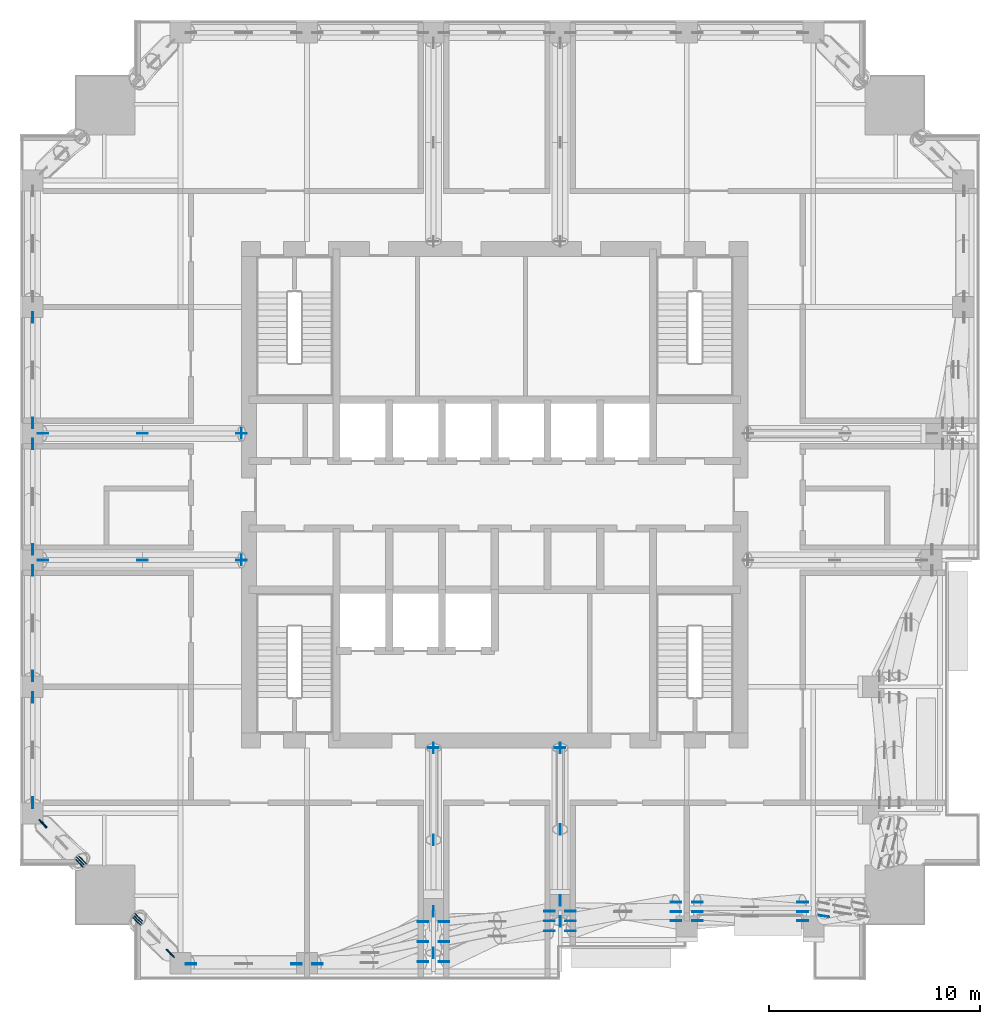
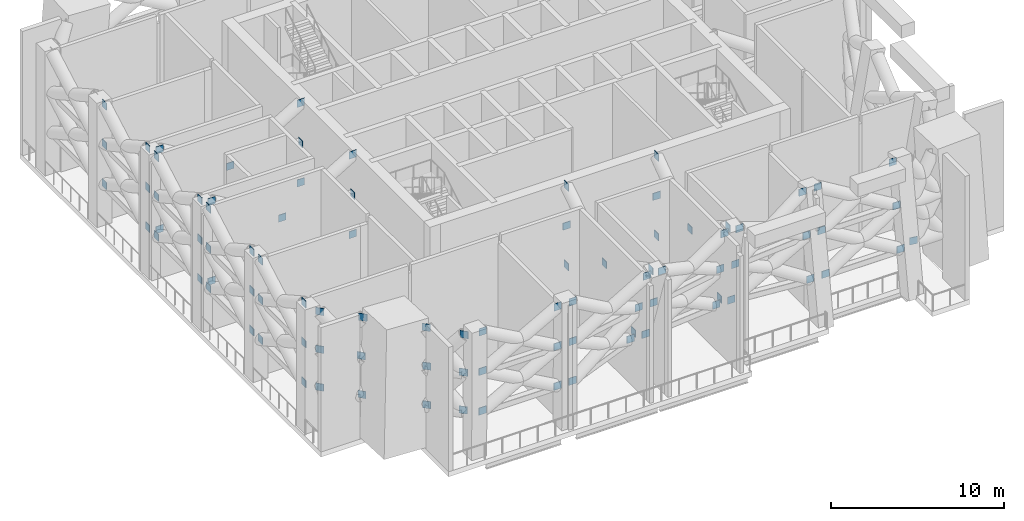
# One storey, part 12 of 18: 91 discrete accessories.
"""IFC4 building model written with IfcOpenShell, lengths in metres."""

import ifcopenshell
import ifcopenshell.guid

model = None  # the IFC model being written
_history = None  # IfcOwnerHistory: only IFC2X3 demands one
_inside = {}  # id of a spatial element -> (the spatial element, [elements in it])
_under = {}  # id of a project, library or spatial element -> (it, [spatial elements below it])
_declared = {}  # id of a project -> (the project, [libraries it declares])
_typed = {}  # id of a type object -> (the type object, [elements of that type])
_made_of = {}  # id of a material, layer set ... -> (it, [elements and type objects made of it])


def new_model(schema):
    """Start an empty IFC model of exactly this schema.

    Asked for "IFC4X3", IfcOpenShell would pick the latest addendum, in which some entities
    have other attributes; the version numbers below select the first issue.
    IFC2X3 requires an IfcOwnerHistory on every rooted entity: one is made here for all.
    """
    global model, _history
    if schema == "IFC4X3":
        model = ifcopenshell.file(schema_version=(4, 3, 0, 0))
    else:
        model = ifcopenshell.file(schema=schema)
    _inside.clear()
    _under.clear()
    _declared.clear()
    _typed.clear()
    _made_of.clear()
    _history = None
    if model.schema == "IFC2X3":
        org = make("IfcOrganization", Name="unknown")
        user = make(
            "IfcPersonAndOrganization",
            ThePerson=make("IfcPerson", FamilyName="unknown"),
            TheOrganization=org,
        )
        app = make(
            "IfcApplication",
            ApplicationDeveloper=org,
            Version="unknown",
            ApplicationFullName="unknown",
            ApplicationIdentifier="unknown",
        )
        _history = make(
            "IfcOwnerHistory",
            OwningUser=user,
            OwningApplication=app,
            ChangeAction="ADDED",
            CreationDate=0,
        )
    return model


def make(cls, **values):
    """One entity of the class cls with the attributes given. An attribute that is None is left unset."""
    return model.create_entity(
        cls, **{name: value for name, value in values.items() if value is not None}
    )


def rooted(cls, **values):
    """An entity with a GlobalId (a new one), such as an element, a storey or a relation."""
    return make(cls, GlobalId=ifcopenshell.guid.new(), OwnerHistory=_history, **values)


def si_unit(unit_type, name, prefix=None):
    """IfcSIUnit, for example si_unit("LENGTHUNIT", "METRE", prefix="MILLI")."""
    return make("IfcSIUnit", UnitType=unit_type, Prefix=prefix, Name=name)


def assignment(units):
    """IfcUnitAssignment: the units of a project."""
    return None if units is None else make("IfcUnitAssignment", Units=units)


def point(xyz):
    """IfcCartesianPoint."""
    return None if xyz is None else make("IfcCartesianPoint", Coordinates=xyz)


def direction(xyz):
    """IfcDirection."""
    return None if xyz is None else make("IfcDirection", DirectionRatios=xyz)


def frame(location, z_axis=None, x_axis=None):
    """IfcAxis2Placement3D, a coordinate frame: its origin and axes. An axis left out is left unset."""
    return make(
        "IfcAxis2Placement3D",
        Location=point(location),
        Axis=direction(z_axis),
        RefDirection=direction(x_axis),
    )


def frame_2d(location, x_axis=None):
    """IfcAxis2Placement2D, a coordinate frame in the plane: its origin and x axis."""
    return make(
        "IfcAxis2Placement2D", Location=point(location), RefDirection=direction(x_axis)
    )


def origin():
    """The frame at (0, 0, 0) with its axes left unset."""
    return frame((0.0, 0.0, 0.0))


def origin_2d():
    """The frame at (0, 0) in the plane with its x axis left unset."""
    return frame_2d((0.0, 0.0))


def place(relative_to, where):
    """IfcLocalPlacement: puts the frame where relative to a parent placement (None: the world)."""
    return make(
        "IfcLocalPlacement", PlacementRelTo=relative_to, RelativePlacement=where
    )


def context(
    kind, dimensions, precision=None, world=None, true_north=None, identifier=None
):
    """IfcGeometricRepresentationContext, for example the 3D "Model" context."""
    return make(
        "IfcGeometricRepresentationContext",
        ContextIdentifier=identifier,
        ContextType=kind,
        CoordinateSpaceDimension=dimensions,
        Precision=precision,
        WorldCoordinateSystem=world,
        TrueNorth=true_north,
    )


def subcontext(parent, identifier, kind, view, scale=None):
    """IfcGeometricRepresentationSubContext, for example "Body" below "Model"."""
    return make(
        "IfcGeometricRepresentationSubContext",
        ContextIdentifier=identifier,
        ContextType=kind,
        ParentContext=parent,
        TargetScale=scale,
        TargetView=view,
    )


def project(units=None, contexts=None):
    """IfcProject with its units and contexts."""
    return rooted(
        "IfcProject",
        Name="project",
        RepresentationContexts=contexts,
        UnitsInContext=assignment(units),
    )


def spatial(cls, under=None, at=None, **own):
    """A site, building, storey or space (cls), placed at a placement, below another one or the project."""
    s = rooted(cls, ObjectPlacement=at, **own)
    if under is not None:
        _under.setdefault(under.id(), (under, []))[1].append(s)
    return s


def profile(cls, at=None, kind="AREA", **sizes):
    """A parametric profile (cls). Its sizes go by their IFC names, for example OverallWidth=200.0."""
    return make(cls, ProfileType=kind, Position=at, **sizes)


def rectangle(**sizes):
    """IfcRectangleProfileDef."""
    return profile("IfcRectangleProfileDef", **sizes)


def extrude(swept, where, along, depth):
    """IfcExtrudedAreaSolid: the profile swept, set in the frame where, extruded along a direction by depth."""
    return make(
        "IfcExtrudedAreaSolid",
        SweptArea=swept,
        Position=where,
        ExtrudedDirection=direction(along),
        Depth=depth,
    )


def shape(context_of_items, identifier, shape_type, items):
    """IfcShapeRepresentation: the items that make up one representation, for example the "Body"."""
    return make(
        "IfcShapeRepresentation",
        ContextOfItems=context_of_items,
        RepresentationIdentifier=identifier,
        RepresentationType=shape_type,
        Items=items,
    )


def made_of(thing, what):
    """Note that an element or type object is made of a material, layer set ...; save() writes the relation."""
    if what is not None:
        _made_of.setdefault(what.id(), (what, []))[1].append(thing)
    return thing


def element(
    cls,
    number,
    at=None,
    inside=None,
    cuts=None,
    type_object=None,
    material=None,
    context=None,
    identifier="Body",
    shape_type=None,
    held_by="IfcProductDefinitionShape",
    body=None,
    shapes=None,
    **own,
):
    """One element of the class cls, such as IfcWall. Its Tag is "e" and its number.

    at: its placement. inside: the storey or other place that contains it. cuts: it is an
    opening in that element (IfcRelVoidsElement). A single representation is given by context,
    identifier, shape_type and body (its items); several are given by shapes. held_by: the class
    of the entity that holds the representations. save() writes the other relations.
    """
    e = rooted(cls, Tag="e%d" % number, ObjectPlacement=at, **own)
    if body is not None:
        shapes = [shape(context, identifier, shape_type, body)]
    if shapes is not None:
        e.Representation = make(held_by, Representations=shapes)
    if inside is not None:
        _inside.setdefault(inside.id(), (inside, []))[1].append(e)
    if cuts is not None:
        rooted(
            "IfcRelVoidsElement", RelatingBuildingElement=cuts, RelatedOpeningElement=e
        )
    if type_object is not None:
        _typed.setdefault(type_object.id(), (type_object, []))[1].append(e)
    return made_of(e, material)


def aggregate(whole, parts):
    """IfcRelAggregates: a whole, such as a stair, and the parts it consists of."""
    return rooted("IfcRelAggregates", RelatingObject=whole, RelatedObjects=parts)


def save(model, path):
    """Write the relations noted so far, then the file.

    IfcRelAggregates (storeys below a building ...), IfcRelContainedInSpatialStructure (elements
    in a storey), IfcRelDefinesByType, IfcRelAssociatesMaterial and IfcRelDeclares: one each for
    every whole, place, type object, material and project.
    """
    for whole, parts in _under.values():
        aggregate(whole, parts)
    for where, things in _inside.values():
        rooted(
            "IfcRelContainedInSpatialStructure",
            RelatedElements=things,
            RelatingStructure=where,
        )
    for kind, things in _typed.values():
        rooted("IfcRelDefinesByType", RelatedObjects=things, RelatingType=kind)
    for what, things in _made_of.values():
        rooted("IfcRelAssociatesMaterial", RelatedObjects=things, RelatingMaterial=what)
    for by, libraries in _declared.values():
        rooted("IfcRelDeclares", RelatingContext=by, RelatedDefinitions=libraries)
    model.write(path)


model = new_model("IFC4")

# Units and contexts
model_context = context("Model", 3, precision=1e-05, world=origin(), true_north=direction((0.0, 1.0)))
body_context = subcontext(model_context, "Body", "Model", "MODEL_VIEW")
ifc_project = project(units=[si_unit("LENGTHUNIT", "METRE"), si_unit("AREAUNIT", "SQUARE_METRE"), si_unit("VOLUMEUNIT", "CUBIC_METRE"), si_unit("PLANEANGLEUNIT", "RADIAN"), si_unit("MASSUNIT", "GRAM", prefix="KILO")], contexts=[model_context])

# Site, building, storey
site_placement = place(None, origin())
site = spatial("IfcSite", under=ifc_project, at=site_placement, CompositionType="ELEMENT")
building_placement = place(site_placement, origin())
building = spatial("IfcBuilding", under=site, at=building_placement, Name="Amberfall Residences", CompositionType="ELEMENT")
storey_placement = place(building_placement, frame((0.0, 0.0, 178.0)))
storey = spatial("IfcBuildingStorey", under=building, at=storey_placement, Name="L48", CompositionType="ELEMENT", Elevation=178.0)

# Discrete accessories
discrete_accessory_1_placement = place(storey_placement, frame((71.60009765625, 33.5, 5.449951171875), z_axis=(0.0, 0.0, 1.0), x_axis=(0.0, 1.0, 0.0)))
element("IfcDiscreteAccessory", 1, at=discrete_accessory_1_placement, inside=storey, Name="Cast-in plate L48", PredefinedType="BRACKET", context=body_context, shape_type="SweptSolid", body=[
    extrude(rectangle(XDim=0.0400390625, YDim=0.5, at=origin_2d()), origin(), (0.0, 0.0, 1.0), 0.5),
])
for number, where, z_axis, x_axis, name in (
    (2, (71.60009765625, 25.75634765625, 2.64990234375), (0.0, 0.0, 1.0), (0.0, 1.0, 0.0), "Connection plate L48"),
    (3, (71.60009765625, 29.13427734375, 5.449951171875), (0.0, 0.0, 1.0), (0.0, 1.0, 0.0), "Connection plate L48"),
    (4, (71.60009765625, 33.5, 2.64990234375), (0.0, 0.0, 1.0), (0.0, 1.0, 0.0), "Connection plate L48"),
    (5, (71.60009765625, 23.780517578125, 8.25), (0.0, 0.0, 1.0), (0.0, 1.0, 0.0), "Connection plate L48"),
    (6, (71.60009765625, 33.5, 8.25), (0.0, 0.0, 1.0), (0.0, 1.0, 0.0), "Connection plate L48"),
):
    element("IfcDiscreteAccessory", number, at=place(storey_placement, frame(where, z_axis=z_axis, x_axis=x_axis)), inside=storey, Name=name, PredefinedType="BRACKET", context=body_context, shape_type="SweptSolid", body=[
        extrude(rectangle(XDim=0.5, YDim=0.0400390625, at=origin_2d()), origin(), (0.0, 0.0, 1.0), 0.5),
    ])
discrete_accessory_2_placement = place(storey_placement, frame((77.60009765625, 33.5, 5.449951171875), z_axis=(0.0, 0.0, 1.0), x_axis=(0.0, 1.0, 0.0)))
element("IfcDiscreteAccessory", 7, at=discrete_accessory_2_placement, inside=storey, Name="Cast-in plate L48", PredefinedType="BRACKET", context=body_context, shape_type="SweptSolid", body=[
    extrude(rectangle(XDim=0.0400390625, YDim=0.5, at=origin_2d()), origin(), (0.0, 0.0, 1.0), 0.5),
])
for number, where, z_axis, x_axis, name in (
    (8, (77.60009765625, 26.265380859375, 2.64990234375), (0.0, 0.0, 1.0), (0.0, 1.0, 0.0), "Connection plate L48"),
    (9, (77.60009765625, 29.635986328125, 5.449951171875), (0.0, 0.0, 1.0), (0.0, 1.0, 0.0), "Connection plate L48"),
    (10, (77.60009765625, 33.5, 2.64990234375), (0.0, 0.0, 1.0), (0.0, 1.0, 0.0), "Connection plate L48"),
    (11, (77.60009765625, 25.2783203125, 8.25), (0.0, 0.0, 1.0), (0.0, 1.0, 0.0), "Connection plate L48"),
    (12, (77.60009765625, 33.5, 8.25), (0.0, 0.0, 1.0), (0.0, 1.0, 0.0), "Connection plate L48"),
):
    element("IfcDiscreteAccessory", number, at=place(storey_placement, frame(where, z_axis=z_axis, x_axis=x_axis)), inside=storey, Name=name, PredefinedType="BRACKET", context=body_context, shape_type="SweptSolid", body=[
        extrude(rectangle(XDim=0.5, YDim=0.0400390625, at=origin_2d()), origin(), (0.0, 0.0, 1.0), 0.5),
    ])
discrete_accessory_3_placement = place(storey_placement, frame((62.5, 42.39990234375, 5.449951171875), z_axis=(0.0, 0.0, 1.0), x_axis=(1.0, 0.0, 0.0)))
element("IfcDiscreteAccessory", 13, at=discrete_accessory_3_placement, inside=storey, Name="Cast-in plate L48", PredefinedType="BRACKET", context=body_context, shape_type="SweptSolid", body=[
    extrude(rectangle(XDim=0.0400390625, YDim=0.5, at=origin_2d()), origin(), (0.0, 0.0, 1.0), 0.5),
])
for number, where, z_axis, x_axis, name in (
    (14, (53.10009765625, 42.39990234375, 2.64990234375), (0.0, 0.0, 1.0), (1.0, 0.0, 0.0), "Connection plate L48"),
    (15, (57.800048828125, 42.39990234375, 5.449951171875), (0.0, 0.0, 1.0), (1.0, 0.0, 0.0), "Connection plate L48"),
    (16, (62.5, 42.39990234375, 2.64990234375), (0.0, 0.0, 1.0), (1.0, 0.0, 0.0), "Connection plate L48"),
    (17, (53.10009765625, 42.39990234375, 8.25), (0.0, 0.0, 1.0), (1.0, 0.0, 0.0), "Connection plate L48"),
    (18, (62.5, 42.39990234375, 8.25), (0.0, 0.0, 1.0), (1.0, 0.0, 0.0), "Connection plate L48"),
):
    element("IfcDiscreteAccessory", number, at=place(storey_placement, frame(where, z_axis=z_axis, x_axis=x_axis)), inside=storey, Name=name, PredefinedType="BRACKET", context=body_context, shape_type="SweptSolid", body=[
        extrude(rectangle(XDim=0.5, YDim=0.0400390625, at=origin_2d()), origin(), (0.0, 0.0, 1.0), 0.5),
    ])
discrete_accessory_4_placement = place(storey_placement, frame((62.5, 48.39990234375, 5.449951171875), z_axis=(0.0, 0.0, 1.0), x_axis=(1.0, 0.0, 0.0)))
element("IfcDiscreteAccessory", 19, at=discrete_accessory_4_placement, inside=storey, Name="Cast-in plate L48", PredefinedType="BRACKET", context=body_context, shape_type="SweptSolid", body=[
    extrude(rectangle(XDim=0.0400390625, YDim=0.5, at=origin_2d()), origin(), (0.0, 0.0, 1.0), 0.5),
])
for number, where, z_axis, x_axis, name in (
    (20, (53.10009765625, 48.39990234375, 2.64990234375), (0.0, 0.0, 1.0), (1.0, 0.0, 0.0), "Connection plate L48"),
    (21, (57.800048828125, 48.39990234375, 5.449951171875), (0.0, 0.0, 1.0), (1.0, 0.0, 0.0), "Connection plate L48"),
    (22, (62.5, 48.39990234375, 2.64990234375), (0.0, 0.0, 1.0), (1.0, 0.0, 0.0), "Connection plate L48"),
    (23, (53.10009765625, 48.39990234375, 8.25), (0.0, 0.0, 1.0), (1.0, 0.0, 0.0), "Connection plate L48"),
    (24, (62.5, 48.39990234375, 8.25), (0.0, 0.0, 1.0), (1.0, 0.0, 0.0), "Connection plate L48"),
    (25, (60.10009765625, 23.28271484375, 2.64990234375), (0.0, 0.0, 1.0), (1.0, 0.0, 0.0), "Connection plate L48"),
    (26, (65.10009765625, 23.267578125, 5.449951171875), (0.0, 0.0, 1.0), (1.0, 0.0, 0.0), "Connection plate L48"),
    (27, (60.10009765625, 23.267578125, 5.449951171875), (0.0, 0.0, 1.0), (1.0, 0.0, 0.0), "Connection plate L48"),
    (28, (65.10009765625, 23.28271484375, 2.64990234375), (0.0, 0.0, 1.0), (1.0, 0.0, 0.0), "Connection plate L48"),
    (29, (65.10009765625, 23.252685546875, 8.25), (0.0, 0.0, 1.0), (1.0, 0.0, 0.0), "Connection plate L48"),
    (30, (60.10009765625, 23.252685546875, 8.25), (0.0, 0.0, 1.0), (1.0, 0.0, 0.0), "Connection plate L48"),
    (31, (66.10009765625, 23.28271484375, 2.64990234375), (0.0, 0.0, 1.0), (1.0, 0.0, 0.0), "Connection plate L48"),
    (32, (71.10009765625, 24.310546875, 5.449951171875), (0.0, 0.0, 1.0), (1.0, 0.0, 0.0), "Connection plate L48"),
    (33, (66.10009765625, 23.267578125, 5.449951171875), (0.0, 0.0, 1.0), (1.0, 0.0, 0.0), "Connection plate L48"),
    (34, (71.10009765625, 25.25634765625, 2.64990234375), (0.0, 0.0, 1.0), (1.0, 0.0, 0.0), "Connection plate L48"),
    (35, (71.10009765625, 23.36474609375, 8.25), (0.0, 0.0, 1.0), (1.0, 0.0, 0.0), "Connection plate L48"),
    (36, (66.10009765625, 23.252685546875, 8.25), (0.0, 0.0, 1.0), (1.0, 0.0, 0.0), "Connection plate L48"),
    (37, (72.10009765625, 25.25634765625, 2.64990234375), (0.0, 0.0, 1.0), (1.0, 0.0, 0.0), "Connection plate L48"),
    (38, (77.10009765625, 25.29296875, 5.449951171875), (0.0, 0.0, 1.0), (1.0, 0.0, 0.0), "Connection plate L48"),
    (39, (72.10009765625, 24.310546875, 5.449951171875), (0.0, 0.0, 1.0), (1.0, 0.0, 0.0), "Connection plate L48"),
    (40, (77.10009765625, 25.765380859375, 2.64990234375), (0.0, 0.0, 1.0), (1.0, 0.0, 0.0), "Connection plate L48"),
    (41, (77.10009765625, 24.8203125, 8.25), (0.0, 0.0, 1.0), (1.0, 0.0, 0.0), "Connection plate L48"),
    (42, (72.10009765625, 23.36474609375, 8.25), (0.0, 0.0, 1.0), (1.0, 0.0, 0.0), "Connection plate L48"),
    (43, (78.10009765625, 25.765380859375, 2.64990234375), (0.0, 0.0, 1.0), (1.0, 0.0, 0.0), "Connection plate L48"),
    (44, (83.10009765625, 25.74169921875, 5.449951171875), (0.0, 0.0, 1.0), (1.0, 0.0, 0.0), "Connection plate L48"),
    (45, (78.10009765625, 25.29296875, 5.449951171875), (0.0, 0.0, 1.0), (1.0, 0.0, 0.0), "Connection plate L48"),
    (46, (83.10009765625, 25.30029296875, 2.64990234375), (0.0, 0.0, 1.0), (1.0, 0.0, 0.0), "Connection plate L48"),
    (47, (83.10009765625, 26.183349609375, 8.25), (0.0, 0.0, 1.0), (1.0, 0.0, 0.0), "Connection plate L48"),
    (48, (78.10009765625, 24.8203125, 8.25), (0.0, 0.0, 1.0), (1.0, 0.0, 0.0), "Connection plate L48"),
    (49, (84.10009765625, 25.30029296875, 2.64990234375), (0.0, 0.0, 1.0), (1.0, 0.0, 0.0), "Connection plate L48"),
    (50, (89.10009765625, 25.74169921875, 5.449951171875), (0.0, 0.0, 1.0), (1.0, 0.0, 0.0), "Connection plate L48"),
    (51, (84.10009765625, 25.74169921875, 5.449951171875), (0.0, 0.0, 1.0), (1.0, 0.0, 0.0), "Connection plate L48"),
    (52, (89.10009765625, 25.30029296875, 2.64990234375), (0.0, 0.0, 1.0), (1.0, 0.0, 0.0), "Connection plate L48"),
    (53, (89.10009765625, 26.183349609375, 8.25), (0.0, 0.0, 1.0), (1.0, 0.0, 0.0), "Connection plate L48"),
    (54, (84.10009765625, 26.183349609375, 8.25), (0.0, 0.0, 1.0), (1.0, 0.0, 0.0), "Connection plate L48"),
    (55, (52.60009765625, 30.89990234375, 2.64990234375), (0.0, 0.0, 1.0), (0.0, 1.0, 0.0), "Connection plate L48"),
    (56, (52.60009765625, 35.89990234375, 5.449951171875), (0.0, 0.0, 1.0), (0.0, 1.0, 0.0), "Connection plate L48"),
    (57, (52.60009765625, 30.89990234375, 5.449951171875), (0.0, 0.0, 1.0), (0.0, 1.0, 0.0), "Connection plate L48"),
    (58, (52.60009765625, 35.89990234375, 2.64990234375), (0.0, 0.0, 1.0), (0.0, 1.0, 0.0), "Connection plate L48"),
    (59, (52.60009765625, 35.89990234375, 8.25), (0.0, 0.0, 1.0), (0.0, 1.0, 0.0), "Connection plate L48"),
    (60, (52.60009765625, 30.89990234375, 8.25), (0.0, 0.0, 1.0), (0.0, 1.0, 0.0), "Connection plate L48"),
    (61, (52.60009765625, 36.89990234375, 2.64990234375), (0.0, 0.0, 1.0), (0.0, 1.0, 0.0), "Connection plate L48"),
    (62, (52.60009765625, 41.89990234375, 5.449951171875), (0.0, 0.0, 1.0), (0.0, 1.0, 0.0), "Connection plate L48"),
    (63, (52.60009765625, 36.89990234375, 5.449951171875), (0.0, 0.0, 1.0), (0.0, 1.0, 0.0), "Connection plate L48"),
    (64, (52.60009765625, 41.89990234375, 2.64990234375), (0.0, 0.0, 1.0), (0.0, 1.0, 0.0), "Connection plate L48"),
    (65, (52.60009765625, 41.89990234375, 8.25), (0.0, 0.0, 1.0), (0.0, 1.0, 0.0), "Connection plate L48"),
    (66, (52.60009765625, 36.89990234375, 8.25), (0.0, 0.0, 1.0), (0.0, 1.0, 0.0), "Connection plate L48"),
    (67, (52.60009765625, 42.89990234375, 2.64990234375), (0.0, 0.0, 1.0), (0.0, 1.0, 0.0), "Connection plate L48"),
    (68, (52.60009765625, 47.89990234375, 5.449951171875), (0.0, 0.0, 1.0), (0.0, 1.0, 0.0), "Connection plate L48"),
    (69, (52.60009765625, 42.89990234375, 5.449951171875), (0.0, 0.0, 1.0), (0.0, 1.0, 0.0), "Connection plate L48"),
    (70, (52.60009765625, 47.89990234375, 2.64990234375), (0.0, 0.0, 1.0), (0.0, 1.0, 0.0), "Connection plate L48"),
    (71, (52.60009765625, 47.89990234375, 8.25), (0.0, 0.0, 1.0), (0.0, 1.0, 0.0), "Connection plate L48"),
    (72, (52.60009765625, 42.89990234375, 8.25), (0.0, 0.0, 1.0), (0.0, 1.0, 0.0), "Connection plate L48"),
    (73, (52.60009765625, 48.89990234375, 2.64990234375), (0.0, 0.0, 1.0), (0.0, 1.0, 0.0), "Connection plate L48"),
    (74, (52.60009765625, 53.89990234375, 5.449951171875), (0.0, 0.0, 1.0), (0.0, 1.0, 0.0), "Connection plate L48"),
    (75, (52.60009765625, 48.89990234375, 5.449951171875), (0.0, 0.0, 1.0), (0.0, 1.0, 0.0), "Connection plate L48"),
    (76, (52.60009765625, 53.89990234375, 2.64990234375), (0.0, 0.0, 1.0), (0.0, 1.0, 0.0), "Connection plate L48"),
    (77, (52.60009765625, 53.89990234375, 8.25), (0.0, 0.0, 1.0), (0.0, 1.0, 0.0), "Connection plate L48"),
    (78, (52.60009765625, 48.89990234375, 8.25), (0.0, 0.0, 1.0), (0.0, 1.0, 0.0), "Connection plate L48"),
    (79, (90.10009765625, 25.525390625, 2.75), (0.0, 0.0, 1.0), (-0.989778720102, 0.14261165883, 0.0), "Connection plate L48"),
    (80, (57.531494140625, 25.279541015625, 2.75), (0.0, 0.0, 1.0), (0.724364411305, -0.689417289916, 0.0), "Connection plate L48"),
    (81, (59.11962890625, 23.767822265625, 5.396484375), (0.0, 0.0, 1.0), (0.724364411305, -0.689417289916, 0.0), "Connection plate L48"),
    (82, (57.597412109375, 25.352294921875, 5.396484375), (0.0, 0.0, 1.0), (0.724364411305, -0.689417289916, 0.0), "Connection plate L48"),
    (83, (59.10009765625, 23.764892578125, 2.75), (0.0, 0.0, 1.0), (0.724364411305, -0.689417289916, 0.0), "Connection plate L48"),
    (84, (59.15380859375, 23.75390625, 8.042724609375), (0.0, 0.0, 1.0), (0.697602908521, -0.71648459999, 0.0), "Connection plate L48"),
    (85, (57.62109375, 25.471435546875, 8.042724609375), (0.0, 0.0, 1.0), (0.697602908521, -0.71648459999, 0.0), "Connection plate L48"),
    (86, (54.8193359375, 28.031494140625, 2.75), (0.0, 0.0, 1.0), (-0.67700443255, 0.735978938766, 0.0), "Connection plate L48"),
    (87, (53.10009765625, 29.900634765625, 5.396484375), (0.0, 0.0, 1.0), (-0.67700443255, 0.735978938766, 0.0), "Connection plate L48"),
    (88, (54.852294921875, 28.150634765625, 5.396484375), (0.0, 0.0, 1.0), (-0.67700443255, 0.735978938766, 0.0), "Connection plate L48"),
    (89, (53.068603515625, 29.89990234375, 2.75), (0.0, 0.0, 1.0), (-0.67700443255, 0.735978938766, 0.0), "Connection plate L48"),
    (90, (53.10009765625, 29.93212890625, 8.042724609375), (0.0, 0.0, 1.0), (-0.701245297819, 0.712920074263, 0.0), "Connection plate L48"),
    (91, (54.971435546875, 28.181396484375, 8.042724609375), (0.0, 0.0, 1.0), (-0.701245297819, 0.712920074263, 0.0), "Connection plate L48"),
):
    element("IfcDiscreteAccessory", number, at=place(storey_placement, frame(where, z_axis=z_axis, x_axis=x_axis)), inside=storey, Name=name, PredefinedType="BRACKET", context=body_context, shape_type="SweptSolid", body=[
        extrude(rectangle(XDim=0.5, YDim=0.0400390625, at=origin_2d()), origin(), (0.0, 0.0, 1.0), 0.5),
    ])

save(model, "model.ifc")
